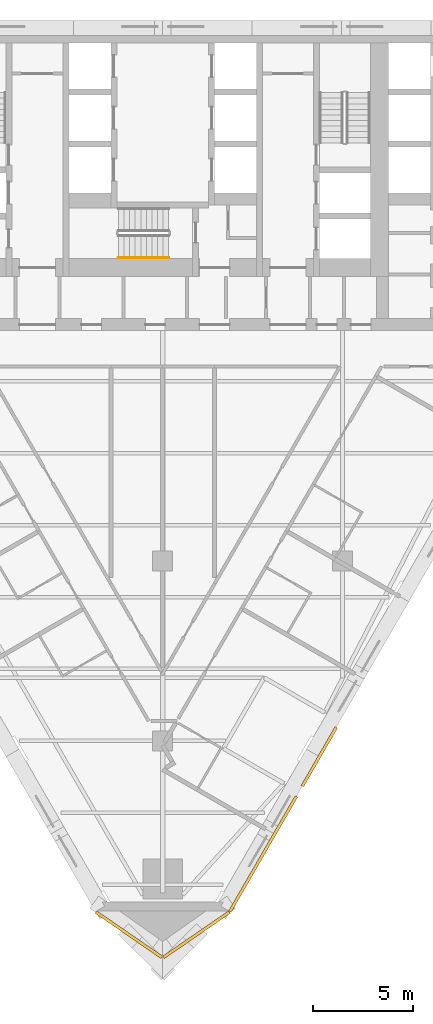
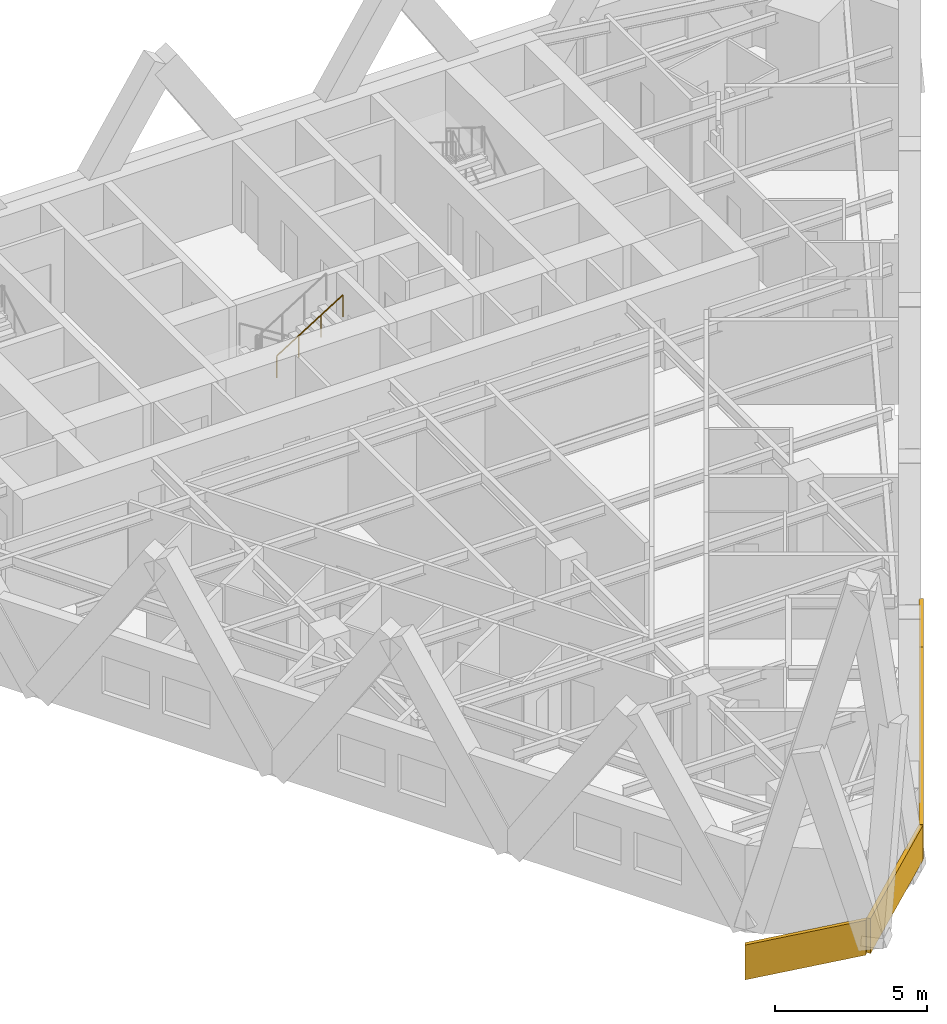
# One storey, part 10 of 11: 4 coverings, 1 railing.
"""IFC4 building model written with IfcOpenShell, lengths in metres."""

from ifc_helpers import new_model, si_unit, direction, frame, origin, origin_2d, place, context, subcontext, project, spatial, polyline, circle, outline, extrude, material, layer, layer_set, type_object, element, save


model = new_model("IFC4")

# Units and contexts
model_context = context("Model", 3, precision=1e-05, world=origin(), true_north=direction((0.0, 1.0)))
body_context = subcontext(model_context, "Body", "Model", "MODEL_VIEW")
ifc_project = project(units=[si_unit("LENGTHUNIT", "METRE"), si_unit("AREAUNIT", "SQUARE_METRE"), si_unit("VOLUMEUNIT", "CUBIC_METRE"), si_unit("PLANEANGLEUNIT", "RADIAN"), si_unit("MASSUNIT", "GRAM", prefix="KILO")], contexts=[model_context])

# Site, building, storey
site_placement = place(None, origin())
site = spatial("IfcSite", under=ifc_project, at=site_placement, CompositionType="ELEMENT")
building_placement = place(site_placement, origin())
building = spatial("IfcBuilding", under=site, at=building_placement, Name="Aloe Facet Convention Tower", CompositionType="ELEMENT")
storey_placement = place(building_placement, frame((0.0, 0.0, 63.0)))
storey = spatial("IfcBuildingStorey", under=building, at=storey_placement, Name="L14", CompositionType="ELEMENT", Elevation=63.0)

# Railing
ifc_material_1 = material(Name="Steel S355 handrail", Category="steel")
railing_type = type_object("IfcRailingType", Name="CR-RL-HAND", PredefinedType="HANDRAIL", material=ifc_material_1)
railing_placement = place(storey_placement, frame((77.780029296875, 123.199951171875, 1.925048828125)))
element("IfcRailing", 1, at=railing_placement, inside=storey, type_object=railing_type, Name="L14 ST3 stair handrail 2", PredefinedType="HANDRAIL", context=body_context, shape_type="SweptSolid", body=[
    extrude(circle(Radius=0.02392578125, at=origin_2d()), frame((0.0, 0.0, 0.8759765625), z_axis=(0.848007534815, 0.0, 0.529984170421), x_axis=(0.0, 1.0, 0.0)), (0.0, 0.0, 1.0), 2.9716796875),
    extrude(circle(Radius=0.02099609375, at=origin_2d()), origin(), (0.0, 0.0, 1.0), 0.851806640625),
    extrude(circle(Radius=0.02099609375, at=origin_2d()), frame((0.840087890625, 0.0, 0.52490234375)), (0.0, 0.0, 1.0), 0.851806640625),
    extrude(circle(Radius=0.02099609375, at=origin_2d()), frame((1.679931640625, 0.0, 1.050048828125)), (0.0, 0.0, 1.0), 0.851806640625),
    extrude(circle(Radius=0.02099609375, at=origin_2d()), frame((2.52001953125, 0.0, 1.574951171875)), (0.0, 0.0, 1.0), 0.851806640625),
])

# Coverings
ifc_material_2 = material(Name="Bronze oxide fascia sheet")
ifc_layer = layer(ifc_material_2, 0.14990234375)
ifc_layer_set = layer_set([ifc_layer], Name="EV-FASCIA-TERR")
covering_type = type_object("IfcCoveringType", Name="EV-FASCIA-TERR", PredefinedType="CLADDING", material=ifc_layer_set)
covering_1_placement = place(storey_placement, frame((0.0, 0.0, 2.949951171875)))
element("IfcCovering", 2, at=covering_1_placement, inside=storey, type_object=covering_type, Name="Terrace fascia T03 sill", PredefinedType="CLADDING", context=body_context, shape_type="SweptSolid", body=[
    extrude(outline(polyline([(87.059814453125, 96.69873046875), (88.760009765625, 99.64306640625), (88.6298828125, 99.718017578125), (86.929931640625, 96.773681640625), (87.059814453125, 96.69873046875)])), origin(), (0.0, 0.0, 1.0), 0.550048828125),
])
covering_2_placement = place(storey_placement, frame((76.614990234375, 90.362548828125, -1.955810546875), z_axis=(-0.566241528799, -0.82423936515, 0.0), x_axis=(0.788409129889, -0.54162663166, 0.291636135936)))
element("IfcCovering", 3, at=covering_2_placement, inside=storey, type_object=covering_type, Name="Spiral ribbon zone 1 part 7 over the corner spine", PredefinedType="CLADDING", context=body_context, shape_type="SweptSolid", body=[
    extrude(outline(polyline([(0.0, 0.0), (4.185706003415476, -2.220446049250313e-16), (4.594039313862906, 1.3392811823088957), (0.4082621102189309, 1.3390476546397923), (0.0, 0.0)])), origin(), (0.0, 0.0, -1.0), 0.14990234375),
])
covering_3_placement = place(storey_placement, frame((80.0849609375, 88.095458984375, -0.735107421875), z_axis=(0.566241528799, -0.82423936515, 0.0), x_axis=(0.788395717793, 0.541617417728, 0.291689500975)))
element("IfcCovering", 4, at=covering_3_placement, inside=storey, type_object=covering_type, Name="Spiral ribbon zone 1 part 8 over the corner spine", PredefinedType="CLADDING", context=body_context, shape_type="SweptSolid", body=[
    extrude(outline(polyline([(0.0, 0.0), (4.185777210158318, 0.0), (4.594185239478028, 1.3392583990010527), (0.40840802931971026, 1.339258399001053), (0.0, 0.0)])), origin(), (0.0, 0.0, -1.0), 0.14990234375),
])
covering_4_placement = place(storey_placement, frame((83.429931640625, 90.411376953125, 0.48583984375), z_axis=(0.866014653411, -0.500018619731, 0.0), x_axis=(0.468949638027, 0.812204270436, 0.347002103857)))
element("IfcCovering", 5, at=covering_4_placement, inside=storey, type_object=covering_type, Name="Spiral ribbon zone 1 part 9", PredefinedType="CLADDING", context=body_context, shape_type="SweptSolid", body=[
    extrude(outline(polyline([(0.0, 0.0), (7.101142329511218, 0.0), (7.586996105296656, 1.313147473158558), (0.48585377578543887, 1.3131474731585577), (0.0, 0.0)])), origin(), (0.0, 0.0, -1.0), 0.14990234375),
])

save(model, "model.ifc")
